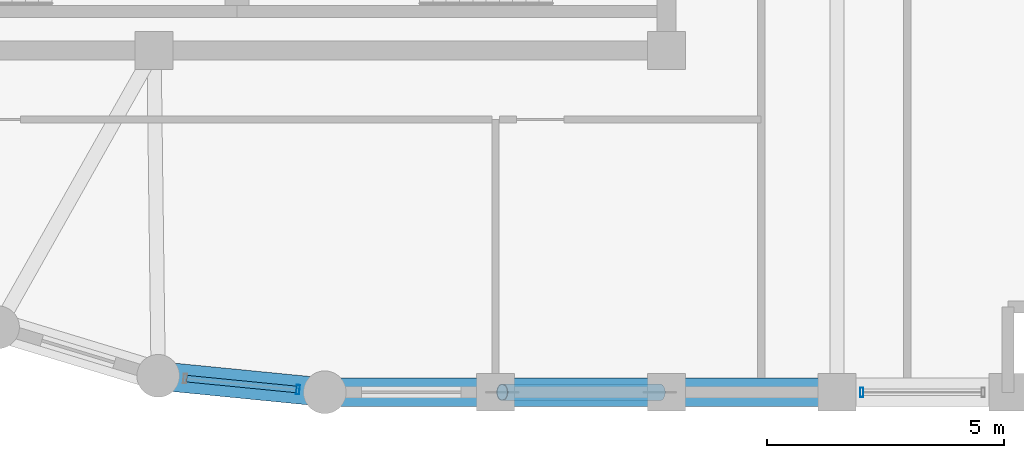
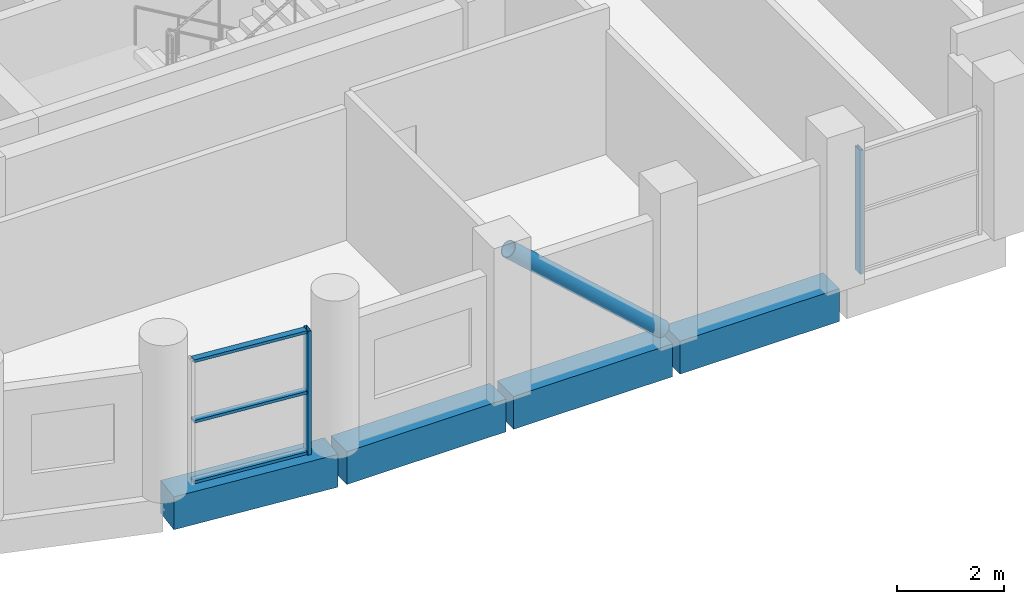
# One storey, part 4 of 17: 6 members, 4 beams, 2 elements without a shape of their own.
"""IFC4 building model written with IfcOpenShell, lengths in metres."""

from ifc_helpers import new_model, si_unit, direction, frame, origin, origin_2d, place, context, subcontext, project, spatial, rectangle, hollow_rectangle, hollow_circle, extrude, material, layer, layer_set, material_profile, profile_set, type_object, element, aggregate, save


model = new_model("IFC4")

# Units and contexts
model_context = context("Model", 3, precision=1e-05, world=origin(), true_north=direction((0.0, 1.0)))
body_context = subcontext(model_context, "Body", "Model", "MODEL_VIEW")
ifc_project = project(units=[si_unit("LENGTHUNIT", "METRE"), si_unit("AREAUNIT", "SQUARE_METRE"), si_unit("VOLUMEUNIT", "CUBIC_METRE"), si_unit("PLANEANGLEUNIT", "RADIAN"), si_unit("MASSUNIT", "GRAM", prefix="KILO")], contexts=[model_context])

# Site, building, storey
site_placement = place(None, origin())
site = spatial("IfcSite", under=ifc_project, at=site_placement, CompositionType="ELEMENT")
building_placement = place(site_placement, origin())
building = spatial("IfcBuilding", under=site, at=building_placement, Name="Solnavia Interchange Tower", CompositionType="ELEMENT")
storey_placement = place(building_placement, frame((0.0, 0.0, 291.800048828125)))
storey = spatial("IfcBuildingStorey", under=building, at=storey_placement, Name="L74", CompositionType="ELEMENT", Elevation=291.800048828125)

# Beams
ifc_material_1 = material(Name="Concrete C50/60", Category="concrete")
ifc_material_profile_1 = material_profile(ifc_material_1, rectangle(XDim=0.60009765625, YDim=0.75, at=origin_2d()), Name="RC 600x750")
ifc_profile_set_1 = profile_set([ifc_material_profile_1], Name="Concrete C50/60")
beam_type = type_object("IfcBeamType", Name="Beam-Spandrel-RC600x750", PredefinedType="SPANDREL", material=ifc_profile_set_1)
beam_1_placement = place(storey_placement, frame((21.767578125, 3.938232421875, -0.375), z_axis=(0.995181774609, -0.098047108501, 0.0), x_axis=(0.098047108501, 0.995181774609, 0.0)))
element("IfcBeam", 1, at=beam_1_placement, inside=storey, type_object=beam_type, Name="SPB-L74-08 Framed-tube perimeter spandrel beam", PredefinedType="SPANDREL", context=body_context, shape_type="SweptSolid", body=[
    extrude(rectangle(XDim=0.60009765625, YDim=0.75, at=origin_2d()), origin(), (0.0, 0.0, 1.0), 3.368896484375),
])
beam_2_placement = place(storey_placement, frame((25.280029296875, 3.60009765625, -0.375), z_axis=(1.0, 0.0, 0.0), x_axis=(0.0, 1.0, 0.0)))
element("IfcBeam", 2, at=beam_2_placement, inside=storey, type_object=beam_type, Name="SPB-L74-09 Framed-tube perimeter spandrel beam", PredefinedType="SPANDREL", context=body_context, shape_type="SweptSolid", body=[
    extrude(rectangle(XDim=0.60009765625, YDim=0.75, at=origin_2d()), origin(), (0.0, 0.0, 1.0), 3.43994140625),
])
beam_3_placement = place(storey_placement, frame((28.8798828125, 3.60009765625, -0.375), z_axis=(1.0, 0.0, 0.0), x_axis=(0.0, 1.0, 0.0)))
element("IfcBeam", 3, at=beam_3_placement, inside=storey, type_object=beam_type, Name="SPB-L74-10 Framed-tube perimeter spandrel beam", PredefinedType="SPANDREL", context=body_context, shape_type="SweptSolid", body=[
    extrude(rectangle(XDim=0.60009765625, YDim=0.75, at=origin_2d()), origin(), (0.0, 0.0, 1.0), 3.440185546875),
])
beam_4_placement = place(storey_placement, frame((32.47998046875, 3.60009765625, -0.375), z_axis=(1.0, 0.0, 0.0), x_axis=(0.0, 1.0, 0.0)))
element("IfcBeam", 4, at=beam_4_placement, inside=storey, type_object=beam_type, Name="SPB-L74-11 Framed-tube perimeter spandrel beam", PredefinedType="SPANDREL", context=body_context, shape_type="SweptSolid", body=[
    extrude(rectangle(XDim=0.60009765625, YDim=0.75, at=origin_2d()), origin(), (0.0, 0.0, 1.0), 3.43994140625),
])

# Member
ifc_material_2 = material(Name="Steel S460", Category="steel")
ifc_material_profile_2 = material_profile(ifc_material_2, hollow_circle(Radius=0.177734375, WallThickness=0.01611328125, at=origin_2d()), Name="CHS 355.6x16")
ifc_profile_set_2 = profile_set([ifc_material_profile_2], Name="Steel S460")
member_type_1 = type_object("IfcMemberType", Name="Brace-Perim-CHS355", PredefinedType="BRACE", material=ifc_profile_set_2)
member_1_placement = place(storey_placement, frame((32.260009765625, 3.60009765625, 0.179931640625), z_axis=(-0.74307946371, 0.0, 0.669203190827), x_axis=(0.0, -1.0, 0.0)))
element("IfcMember", 5, at=member_1_placement, inside=storey, type_object=member_type_1, Name="BRC-L74-01 Perimeter tube diagonal brace", PredefinedType="BRACE", context=body_context, shape_type="SweptSolid", body=[
    extrude(hollow_circle(Radius=0.177734375, WallThickness=0.01611328125, at=origin_2d()), origin(), (0.0, 0.0, 1.0), 4.468017578125),
])

# Curtain wall, member
ifc_material_3 = material(Name="Aluminium Alloy 6063-T6", Category="aluminium")
ifc_layer = layer(ifc_material_3, 0.219970703125)
ifc_layer_set = layer_set([ifc_layer], Name="Aluminium Alloy 6063-T6")
curtain_wall_type = type_object("IfcCurtainWallType", Name="CurtainWall-Tower-CTW3", PredefinedType="NOTDEFINED", material=ifc_layer_set)
curtain_wall_1_placement = place(storey_placement, origin())
curtain_wall_1 = element("IfcCurtainWall", 6, at=curtain_wall_1_placement, inside=storey, type_object=curtain_wall_type, Name="CTW-L74-S04 CTW-3 curtain wall", PredefinedType="NOTDEFINED")
ifc_material_profile_3 = material_profile(ifc_material_3, hollow_rectangle(XDim=0.070068359375, YDim=0.199951171875, WallThickness=0.0048828125, at=origin_2d()), Name="ALU 200x70x5")
ifc_profile_set_3 = profile_set([ifc_material_profile_3], Name="Aluminium Alloy 6063-T6")
member_type_2 = type_object("IfcMemberType", Name="CW-Mullion-CWM-3", PredefinedType="MULLION", material=ifc_profile_set_3)
member_2_placement = place(storey_placement, frame((36.52001953125, 3.60009765625, 0.0), z_axis=(0.0, 0.0, 1.0), x_axis=(1.0, 0.0, 0.0)))
member_2 = element("IfcMember", 7, at=member_2_placement, type_object=member_type_2, Name="CTW-3 mullion 1", PredefinedType="MULLION", context=body_context, shape_type="SweptSolid", body=[
    extrude(hollow_rectangle(XDim=0.070068359375, YDim=0.199951171875, WallThickness=0.0048828125, at=origin_2d()), origin(), (0.0, 0.0, 1.0), 2.829833984375),
])
aggregate(curtain_wall_1, [member_2])

# Curtain wall, members
curtain_wall_2_placement = place(storey_placement, origin())
curtain_wall_2 = element("IfcCurtainWall", 8, at=curtain_wall_2_placement, inside=storey, type_object=curtain_wall_type, Name="CTW-L74-S44 CTW-3 curtain wall", PredefinedType="NOTDEFINED")
member_3_placement = place(storey_placement, frame((24.6328125, 3.656005859375, 0.0), z_axis=(0.0, 0.0, 1.0), x_axis=(0.99518584375, -0.098005797786, 0.0)))
member_3 = element("IfcMember", 9, at=member_3_placement, type_object=member_type_2, Name="CTW-3 mullion 2", PredefinedType="MULLION", context=body_context, shape_type="SweptSolid", body=[
    extrude(hollow_rectangle(XDim=0.070068359375, YDim=0.199951171875, WallThickness=0.0048828125, at=origin_2d()), origin(), (0.0, 0.0, 1.0), 2.829833984375),
])
ifc_material_profile_4 = material_profile(ifc_material_3, hollow_rectangle(XDim=0.06494140625, YDim=0.139892578125, WallThickness=0.00390625, at=origin_2d()), Name="ALU 140x65x4")
ifc_profile_set_4 = profile_set([ifc_material_profile_4], Name="Aluminium Alloy 6063-T6")
member_type_3 = type_object("IfcMemberType", Name="CW-Transom-CWT-3", PredefinedType="USERDEFINED", material=ifc_profile_set_4)
member_4_placement = place(storey_placement, frame((22.2900390625, 3.88671875, 0.032470703125), z_axis=(0.995185129589, -0.098013049365, 0.0), x_axis=(0.0, 0.0, 1.0)))
member_4 = element("IfcMember", 10, at=member_4_placement, type_object=member_type_3, Name="CTW-3 transom 1.1", ObjectType="TRANSOM", PredefinedType="USERDEFINED", context=body_context, shape_type="SweptSolid", body=[
    extrude(hollow_rectangle(XDim=0.06494140625, YDim=0.139892578125, WallThickness=0.00390625, at=origin_2d()), origin(), (0.0, 0.0, 1.0), 2.319091796875),
])
member_5_placement = place(storey_placement, frame((22.2900390625, 3.88671875, 1.4150390625), z_axis=(0.995185129589, -0.098013049365, 0.0), x_axis=(0.0, 0.0, 1.0)))
member_5 = element("IfcMember", 11, at=member_5_placement, type_object=member_type_3, Name="CTW-3 transom 1.2", ObjectType="TRANSOM", PredefinedType="USERDEFINED", context=body_context, shape_type="SweptSolid", body=[
    extrude(hollow_rectangle(XDim=0.06494140625, YDim=0.139892578125, WallThickness=0.00390625, at=origin_2d()), origin(), (0.0, 0.0, 1.0), 2.319091796875),
])
member_6_placement = place(storey_placement, frame((22.2900390625, 3.88671875, 2.79736328125), z_axis=(0.995185129589, -0.098013049365, 0.0), x_axis=(0.0, 0.0, 1.0)))
member_6 = element("IfcMember", 12, at=member_6_placement, type_object=member_type_3, Name="CTW-3 transom 1.3", ObjectType="TRANSOM", PredefinedType="USERDEFINED", context=body_context, shape_type="SweptSolid", body=[
    extrude(hollow_rectangle(XDim=0.06494140625, YDim=0.139892578125, WallThickness=0.00390625, at=origin_2d()), origin(), (0.0, 0.0, 1.0), 2.319091796875),
])
aggregate(curtain_wall_2, [member_3, member_4, member_5, member_6])

save(model, "model.ifc")
